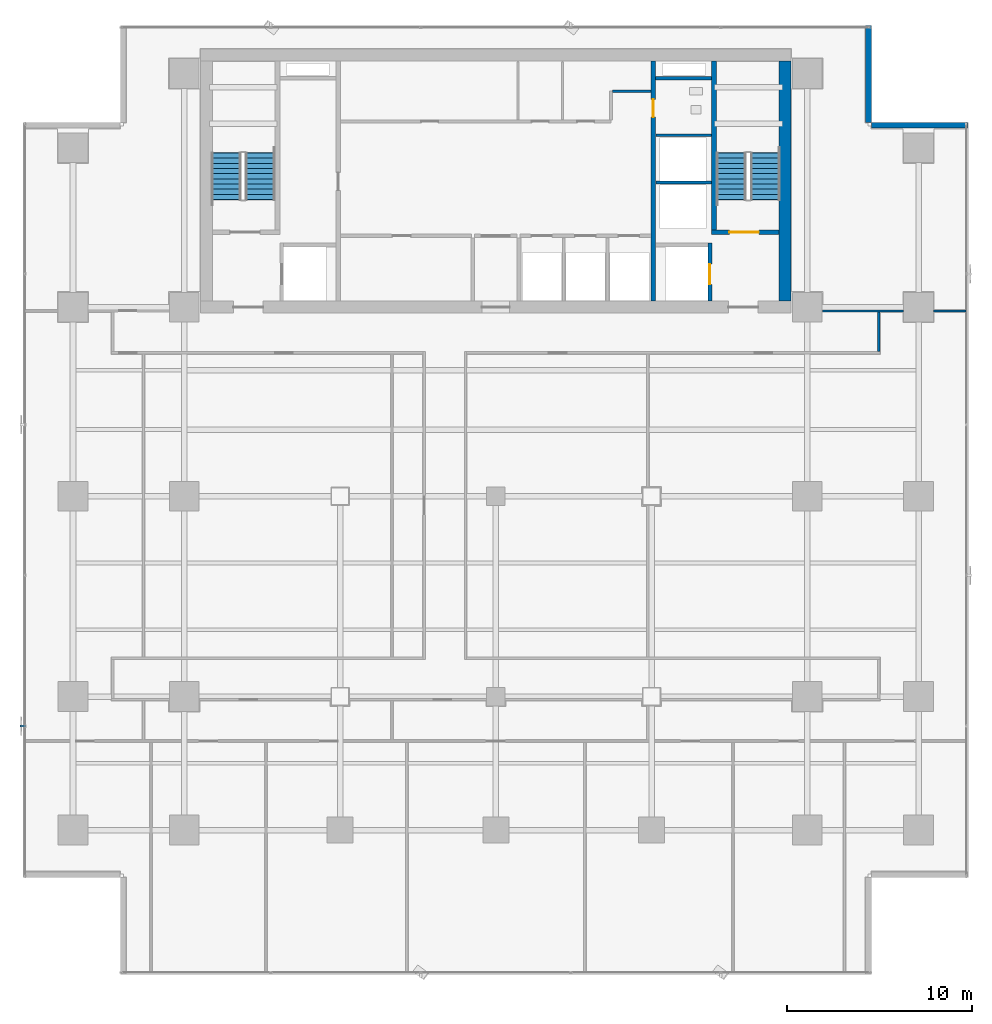
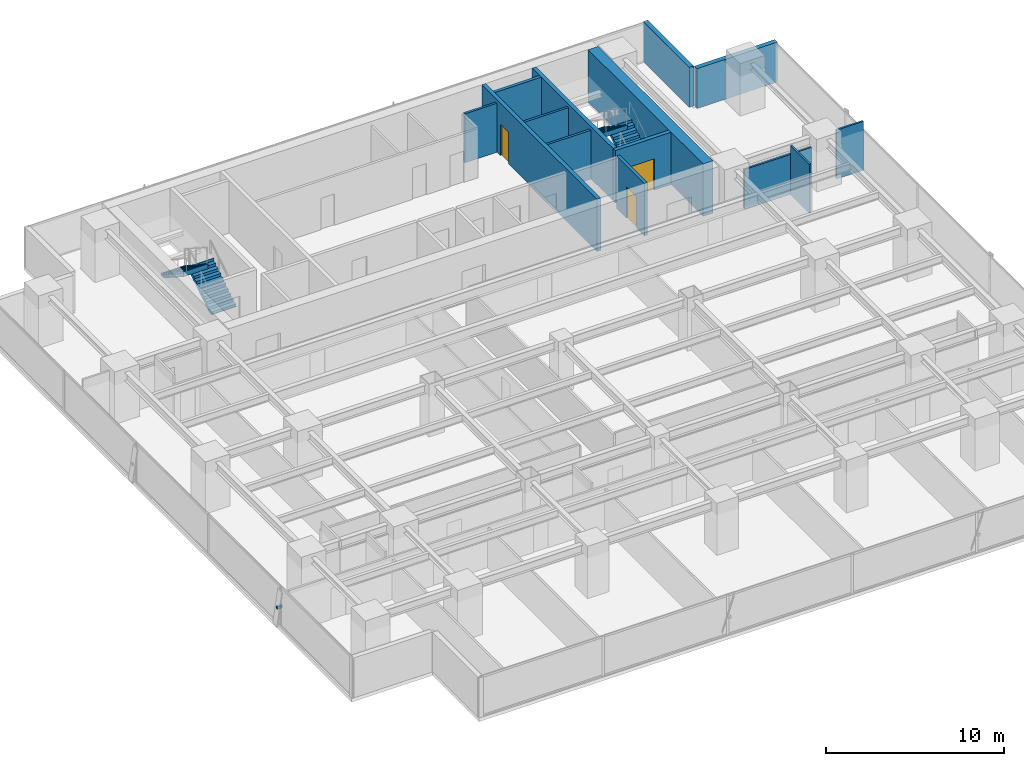
# One storey, part 30 of 37: 14 walls, 4 stair flights, 3 doors, 1 discrete accessory, 3 openings, 2 elements without a shape of their own.
"""IFC4 building model written with IfcOpenShell, lengths in metres."""

from ifc_helpers import new_model, si_unit, direction, frame, frame_2d, origin, origin_2d, place, context, subcontext, project, spatial, polyline, rectangle, outline, extrude, source, transform, mapped, material, layer, layer_set, material_profile, profile_set, type_object, element, fill, aggregate, save


model = new_model("IFC4")

# Units and contexts
model_context = context("Model", 3, precision=1e-05, world=origin(), true_north=direction((0.0, 1.0)))
body_context = subcontext(model_context, "Body", "Model", "MODEL_VIEW")
ifc_project = project(units=[si_unit("LENGTHUNIT", "METRE"), si_unit("AREAUNIT", "SQUARE_METRE"), si_unit("VOLUMEUNIT", "CUBIC_METRE"), si_unit("PLANEANGLEUNIT", "RADIAN"), si_unit("MASSUNIT", "GRAM", prefix="KILO")], contexts=[model_context])

# Site, building, storey
site_placement = place(None, origin())
site = spatial("IfcSite", under=ifc_project, at=site_placement, CompositionType="ELEMENT")
building_placement = place(site_placement, origin())
building = spatial("IfcBuilding", under=site, at=building_placement, Name="Sumidabori Civic Tower", CompositionType="ELEMENT")
storey_placement = place(building_placement, frame((0.0, 0.0, 88.39990234375)))
storey = spatial("IfcBuildingStorey", under=building, at=storey_placement, Name="L22", CompositionType="ELEMENT", Elevation=88.39990234375)

# Walls
ifc_material_1 = material(Name="Concrete C50/60", Category="concrete")
ifc_layer_1 = layer(ifc_material_1, 0.199951171875, Name="Concrete C50/60")
ifc_layer_set_1 = layer_set([ifc_layer_1], Name="Concrete C50/60")
wall_type_1 = type_object("IfcWallType", Name="WL-SHAFT-200", PredefinedType="SHEAR", material=ifc_layer_set_1)
shared_shape_1 = source(origin(), body_context, "Body", "SweptSolid", [
    extrude(rectangle(XDim=3.02001953125, YDim=0.199951171875, at=frame_2d((1.510009765625, 0.0))), origin(), (0.0, 0.0, 1.0), 3.60009765625),
])
wall_1_placement = place(storey_placement, frame((8.625, 22.550048828125, 0.0), z_axis=(0.0, 0.0, 1.0), x_axis=(1.0, 0.0, 0.0)))
element("IfcWall", 1, at=wall_1_placement, inside=storey, type_object=wall_type_1, Name="Core Shear Wall L22 RIS2-S", PredefinedType="SHEAR", context=body_context, shape_type="MappedRepresentation", body=[
    mapped(shared_shape_1, transform((0.0, 0.0, 0.0), x_axis=(1.0, 0.0, 0.0), y_axis=(0.0, 1.0, 0.0), z_axis=(0.0, 0.0, 1.0), scale=1.0)),
])
ifc_material_2 = material(Name="Concrete C60/75", Category="concrete")
ifc_layer_2 = layer(ifc_material_2, 0.64990234375, Name="Concrete C60/75")
ifc_layer_set_2 = layer_set([ifc_layer_2], Name="Concrete C60/75")
wall_type_2 = type_object("IfcWallType", Name="WL-CORE-650", PredefinedType="SHEAR", material=ifc_layer_set_2)
shared_shape_2 = source(origin(), body_context, "Body", "SweptSolid", [
    extrude(rectangle(XDim=12.9501953125, YDim=0.64990234375, at=frame_2d((6.47509765625, 0.0))), origin(), (0.0, 0.0, 1.0), 3.60009765625),
])
wall_2_placement = place(storey_placement, frame((15.60009765625, 10.52490234375, 0.0), z_axis=(0.0, 0.0, 1.0), x_axis=(0.0, 1.0, 0.0)))
element("IfcWall", 2, at=wall_2_placement, inside=storey, type_object=wall_type_2, Name="Core Shear Wall L22 E", PredefinedType="SHEAR", context=body_context, shape_type="MappedRepresentation", body=[
    mapped(shared_shape_2, transform((0.0, 0.0, 0.0), x_axis=(1.0, 0.0, 0.0), y_axis=(0.0, 1.0, 0.0), z_axis=(0.0, 0.0, 1.0), scale=1.0)),
])

# Wall, opening, door
ifc_layer_3 = layer(ifc_material_1, 0.25, Name="Concrete C50/60")
ifc_layer_set_3 = layer_set([ifc_layer_3], Name="Concrete C50/60")
wall_type_3 = type_object("IfcWallType", Name="WL-SHAFT-250", PredefinedType="SHEAR", material=ifc_layer_set_3)
shared_shape_3 = source(origin(), body_context, "Body", "SweptSolid", [
    extrude(rectangle(XDim=12.9501953125, YDim=0.25, at=frame_2d((6.47509765625, 0.0))), origin(), (0.0, 0.0, 1.0), 3.60009765625),
])
wall_3_placement = place(storey_placement, frame((8.5, 10.52490234375, 0.0), z_axis=(0.0, 0.0, 1.0), x_axis=(0.0, 1.0, 0.0)))
wall_3 = element("IfcWall", 3, at=wall_3_placement, inside=storey, type_object=wall_type_3, Name="Core Shear Wall L22 WEB-E", PredefinedType="SHEAR", context=body_context, shape_type="MappedRepresentation", body=[
    mapped(shared_shape_3, transform((0.0, 0.0, 0.0), x_axis=(1.0, 0.0, 0.0), y_axis=(0.0, 1.0, 0.0), z_axis=(0.0, 0.0, 1.0), scale=1.0)),
])
opening_1_placement = place(wall_3_placement, frame((9.925048828125, 0.0, 0.0)))
opening_1 = element("IfcOpeningElement", 4, at=opening_1_placement, cuts=wall_3, Name="Opening DR-2", PredefinedType="OPENING", context=body_context, shape_type="SweptSolid", body=[
    extrude(rectangle(XDim=0.949951171875, YDim=2.14990234375, at=frame_2d((0.47509765625, 1.074951171875))), frame((0.0, 0.136962890625, 0.0), z_axis=(0.0, -1.0, 0.0), x_axis=(1.0, 0.0, 0.0)), (0.0, 0.0, 1.0), 0.27392578125),
])
ifc_material_3 = material(Name="Japanese Hinoki Timber", Category="wood")
door_type_1 = type_object("IfcDoorType", Name="DR-INT-950", OperationType="NOTDEFINED", PredefinedType="DOOR", material=ifc_material_3)
shared_shape_4 = source(origin(), body_context, "Body", "SweptSolid", [
    extrude(rectangle(XDim=0.949951171875, YDim=2.14990234375, at=frame_2d((0.47509765625, 1.074951171875))), frame((0.0, 0.02490234375, 0.0), z_axis=(0.0, -1.0, 0.0), x_axis=(1.0, 0.0, 0.0)), (0.0, 0.0, 1.0), 0.050048828125),
])
door_1_placement = place(opening_1_placement, origin())
door_1 = element("IfcDoor", 5, at=door_1_placement, inside=storey, type_object=door_type_1, Name="Door DR:L22:WC-ACC", OperationType="SINGLE_SWING_RIGHT", OverallHeight=2.14990234375, OverallWidth=0.949951171875, PredefinedType="DOOR", context=body_context, shape_type="MappedRepresentation", body=[
    mapped(shared_shape_4, transform((0.0, 0.0, 0.0), x_axis=(1.0, 0.0, 0.0), y_axis=(0.0, 1.0, 0.0), z_axis=(0.0, 0.0, 1.0), scale=1.0)),
])
fill(opening_1, door_1)

shared_shape_5 = source(origin(), body_context, "Body", "SweptSolid", [
    extrude(rectangle(XDim=3.6298828125, YDim=0.25, at=frame_2d((1.81494140625, 0.0))), origin(), (0.0, 0.0, 1.0), 3.60009765625),
])
wall_4_placement = place(storey_placement, frame((11.64501953125, 14.25, 0.0), z_axis=(0.0, 0.0, 1.0), x_axis=(1.0, 0.0, 0.0)))
wall_4 = element("IfcWall", 6, at=wall_4_placement, inside=storey, type_object=wall_type_3, Name="Core Shear Wall L22 ST2-S", PredefinedType="SHEAR", context=body_context, shape_type="MappedRepresentation", body=[
    mapped(shared_shape_5, transform((0.0, 0.0, 0.0), x_axis=(1.0, 0.0, 0.0), y_axis=(0.0, 1.0, 0.0), z_axis=(0.0, 0.0, 1.0), scale=1.0)),
])
opening_2_placement = place(wall_4_placement, frame((0.949951171875, 0.0, 0.0)))
opening_2 = element("IfcOpeningElement", 7, at=opening_2_placement, cuts=wall_4, Name="Opening DR-FD4", PredefinedType="OPENING", context=body_context, shape_type="SweptSolid", body=[
    extrude(rectangle(XDim=1.60009765625, YDim=2.14990234375, at=frame_2d((0.800048828125, 1.074951171875))), frame((0.0, 0.136962890625, 0.0), z_axis=(0.0, -1.0, 0.0), x_axis=(1.0, 0.0, 0.0)), (0.0, 0.0, 1.0), 0.27392578125),
])
ifc_material_4 = material(Name="Steel SN490", Category="steel")
door_type_2 = type_object("IfcDoorType", Name="DR-FD4", OperationType="DOUBLE_DOOR_SINGLE_SWING", PredefinedType="DOOR", material=ifc_material_4)
shared_shape_6 = source(origin(), body_context, "Body", "SweptSolid", [
    extrude(rectangle(XDim=1.60009765625, YDim=2.14990234375, at=frame_2d((0.800048828125, 1.074951171875))), frame((0.0, 0.02490234375, 0.0), z_axis=(0.0, -1.0, 0.0), x_axis=(1.0, 0.0, 0.0)), (0.0, 0.0, 1.0), 0.050048828125),
])
door_2_placement = place(opening_2_placement, origin())
door_2 = element("IfcDoor", 8, at=door_2_placement, inside=storey, type_object=door_type_2, Name="Door DR:L22:ST2", OperationType="DOUBLE_DOOR_SINGLE_SWING", OverallHeight=2.14990234375, OverallWidth=1.60009765625, PredefinedType="DOOR", context=body_context, shape_type="MappedRepresentation", body=[
    mapped(shared_shape_6, transform((0.0, 0.0, 0.0), x_axis=(1.0, 0.0, 0.0), y_axis=(0.0, 1.0, 0.0), z_axis=(0.0, 0.0, 1.0), scale=1.0)),
])
fill(opening_2, door_2)

# Wall
shared_shape_7 = source(origin(), body_context, "Body", "SweptSolid", [
    extrude(rectangle(XDim=9.10009765625, YDim=0.25, at=frame_2d((4.550048828125, 0.0))), origin(), (0.0, 0.0, 1.0), 3.60009765625),
])
wall_5_placement = place(storey_placement, frame((11.77001953125, 14.375, 0.0), z_axis=(0.0, 0.0, 1.0), x_axis=(0.0, 1.0, 0.0)))
element("IfcWall", 9, at=wall_5_placement, inside=storey, type_object=wall_type_3, Name="Core Shear Wall L22 ST2-W", PredefinedType="SHEAR", context=body_context, shape_type="MappedRepresentation", body=[
    mapped(shared_shape_7, transform((0.0, 0.0, 0.0), x_axis=(1.0, 0.0, 0.0), y_axis=(0.0, 1.0, 0.0), z_axis=(0.0, 0.0, 1.0), scale=1.0)),
])

# Wall, opening, door
shared_shape_8 = source(origin(), body_context, "Body", "SweptSolid", [
    extrude(rectangle(XDim=3.125, YDim=0.199951171875, at=frame_2d((1.5625, 0.0))), origin(), (0.0, 0.0, 1.0), 3.60009765625),
])
wall_6_placement = place(storey_placement, frame((11.550048828125, 10.52490234375, 0.0), z_axis=(0.0, 0.0, 1.0), x_axis=(0.0, 1.0, 0.0)))
wall_6 = element("IfcWall", 10, at=wall_6_placement, inside=storey, type_object=wall_type_1, Name="Core Shear Wall L22 EL2-E", PredefinedType="SHEAR", context=body_context, shape_type="MappedRepresentation", body=[
    mapped(shared_shape_8, transform((0.0, 0.0, 0.0), x_axis=(1.0, 0.0, 0.0), y_axis=(0.0, 1.0, 0.0), z_axis=(0.0, 0.0, 1.0), scale=1.0)),
])
opening_3_placement = place(wall_6_placement, frame((0.89990234375, 0.0, 0.0)))
opening_3 = element("IfcOpeningElement", 11, at=opening_3_placement, cuts=wall_6, Name="Opening LD-2", PredefinedType="OPENING", context=body_context, shape_type="SweptSolid", body=[
    extrude(rectangle(XDim=1.10009765625, YDim=2.14990234375, at=frame_2d((0.550048828125, 1.074951171875))), frame((0.0, 0.11181640625, 0.0), z_axis=(0.0, -1.0, 0.0), x_axis=(1.0, 0.0, 0.0)), (0.0, 0.0, 1.0), 0.223876953125),
])
ifc_material_5 = material(Name="Stainless Steel Hairline Finish", Category="steel")
door_type_3 = type_object("IfcDoorType", Name="DR-LD2", OperationType="DOUBLE_DOOR_SLIDING", PredefinedType="DOOR", material=ifc_material_5)
shared_shape_9 = source(origin(), body_context, "Body", "SweptSolid", [
    extrude(rectangle(XDim=1.10009765625, YDim=2.14990234375, at=frame_2d((0.550048828125, 1.074951171875))), frame((0.0, 0.02490234375, 0.0), z_axis=(0.0, -1.0, 0.0), x_axis=(1.0, 0.0, 0.0)), (0.0, 0.0, 1.0), 0.050048828125),
])
door_3_placement = place(opening_3_placement, origin())
door_3 = element("IfcDoor", 12, at=door_3_placement, inside=storey, type_object=door_type_3, Name="Door DR:L22:LD-EL2", OperationType="DOUBLE_DOOR_SLIDING", OverallHeight=2.14990234375, OverallWidth=1.10009765625, PredefinedType="DOOR", context=body_context, shape_type="MappedRepresentation", body=[
    mapped(shared_shape_9, transform((0.0, 0.0, 0.0), x_axis=(1.0, 0.0, 0.0), y_axis=(0.0, 1.0, 0.0), z_axis=(0.0, 0.0, 1.0), scale=1.0)),
])
fill(opening_3, door_3)

# Walls
ifc_material_6 = material(Name="Precast concrete C40/50", Category="concrete")
ifc_layer_4 = layer(ifc_material_6, 0.300048828125, Name="Precast concrete C40/50")
ifc_layer_set_4 = layer_set([ifc_layer_4], Name="Precast concrete C40/50")
wall_type_4 = type_object("IfcWallType", Name="WL-EXT-POD300", PredefinedType="STANDARD", material=ifc_layer_set_4)
shared_shape_10 = source(origin(), body_context, "Body", "SweptSolid", [
    extrude(rectangle(XDim=5.2099609375, YDim=0.300048828125, at=frame_2d((2.60498046875, 0.0))), origin(), (0.0, 0.0, 1.0), 2.739990234375),
])
for number, where, z_axis, x_axis, name in (
    (13, (25.47998046875, 20.0, 0.0), (0.0, 0.0, 1.0), (-1.0, 0.0, 0.0), "Notched Corner Spandrel Band L22-05"),
    (14, (20.10009765625, 20.169921875, 0.0), (0.0, 0.0, 1.0), (0.0, 1.0, 0.0), "Notched Corner Spandrel Band L22-06"),
):
    element("IfcWall", number, at=place(storey_placement, frame(where, z_axis=z_axis, x_axis=x_axis)), inside=storey, type_object=wall_type_4, Name=name, PredefinedType="STANDARD", context=body_context, shape_type="MappedRepresentation", body=[
        mapped(shared_shape_10, transform((0.0, 0.0, 0.0), x_axis=(1.0, 0.0, 0.0), y_axis=(0.0, 1.0, 0.0), z_axis=(0.0, 0.0, 1.0), scale=1.0)),
    ])
ifc_material_7 = material(Name="Gypsum Plasterboard Acoustic Partition")
ifc_layer_5 = layer(ifc_material_7, 0.14990234375, Name="Gypsum Plasterboard Acoustic Partition")
ifc_layer_set_5 = layer_set([ifc_layer_5], Name="Gypsum Plasterboard Acoustic Partition")
wall_type_5 = type_object("IfcWallType", Name="WL-PART-150", PredefinedType="PARTITIONING", material=ifc_layer_set_5)
shared_shape_11 = source(origin(), body_context, "Body", "SweptSolid", [
    extrude(rectangle(XDim=3.010009765625, YDim=0.14990234375, at=frame_2d((1.5048828125, 0.0))), origin(), (0.0, 0.0, 1.0), 3.360107421875),
])
for number, where, z_axis, x_axis, name in (
    (15, (8.6298828125, 16.919921875, 0.0), (0.0, 0.0, 1.0), (1.0, 0.0, 0.0), "Interior Partition WL:L22:DIV-OBS1"),
    (16, (8.6298828125, 19.469970703125, 0.0), (0.0, 0.0, 1.0), (1.0, 0.0, 0.0), "Interior Partition WL:L22:DIV-OBS2"),
):
    element("IfcWall", number, at=place(storey_placement, frame(where, z_axis=z_axis, x_axis=x_axis)), inside=storey, type_object=wall_type_5, Name=name, PredefinedType="PARTITIONING", context=body_context, shape_type="MappedRepresentation", body=[
        mapped(shared_shape_11, transform((0.0, 0.0, 0.0), x_axis=(1.0, 0.0, 0.0), y_axis=(0.0, 1.0, 0.0), z_axis=(0.0, 0.0, 1.0), scale=1.0)),
    ])
shared_shape_12 = source(origin(), body_context, "Body", "SweptSolid", [
    extrude(rectangle(XDim=2.070068359375, YDim=0.14990234375, at=frame_2d((1.03515625, 0.0))), origin(), (0.0, 0.0, 1.0), 3.360107421875),
])
wall_7_placement = place(storey_placement, frame((6.300048828125, 21.85009765625, 0.0), z_axis=(0.0, 0.0, 1.0), x_axis=(1.0, 0.0, 0.0)))
element("IfcWall", 17, at=wall_7_placement, inside=storey, type_object=wall_type_5, Name="Interior Partition WL:L22:CBAND-ME2", PredefinedType="PARTITIONING", context=body_context, shape_type="MappedRepresentation", body=[
    mapped(shared_shape_12, transform((0.0, 0.0, 0.0), x_axis=(1.0, 0.0, 0.0), y_axis=(0.0, 1.0, 0.0), z_axis=(0.0, 0.0, 1.0), scale=1.0)),
])
ifc_layer_6 = layer(ifc_material_7, 0.1201171875, Name="Gypsum Plasterboard Acoustic Partition")
ifc_layer_set_6 = layer_set([ifc_layer_6], Name="Gypsum Plasterboard Acoustic Partition")
wall_type_6 = type_object("IfcWallType", Name="WL-PART-120", PredefinedType="PARTITIONING", material=ifc_layer_set_6)
shared_shape_13 = source(origin(), body_context, "Body", "SweptSolid", [
    extrude(rectangle(XDim=1.739990234375, YDim=0.1201171875, at=frame_2d((0.8701171875, 0.0))), origin(), (0.0, 0.0, 1.0), 3.360107421875),
])
wall_8_placement = place(storey_placement, frame((23.610107421875, 10.0, 0.0), z_axis=(0.0, 0.0, 1.0), x_axis=(1.0, 0.0, 0.0)))
element("IfcWall", 18, at=wall_8_placement, inside=storey, type_object=wall_type_6, Name="Interior Partition WL:L22:FLK-NE-2", PredefinedType="PARTITIONING", context=body_context, shape_type="MappedRepresentation", body=[
    mapped(shared_shape_13, transform((0.0, 0.0, 0.0), x_axis=(1.0, 0.0, 0.0), y_axis=(0.0, 1.0, 0.0), z_axis=(0.0, 0.0, 1.0), scale=1.0)),
])
shared_shape_14 = source(origin(), body_context, "Body", "SweptSolid", [
    extrude(rectangle(XDim=4.3798828125, YDim=0.1201171875, at=frame_2d((2.18994140625, 0.0))), origin(), (0.0, 0.0, 1.0), 2.7451171875),
])
wall_9_placement = place(storey_placement, frame((17.610107421875, 10.0, 0.0), z_axis=(0.0, 0.0, 1.0), x_axis=(1.0, 0.0, 0.0)))
element("IfcWall", 19, at=wall_9_placement, inside=storey, type_object=wall_type_6, Name="Interior Partition WL:L22:FLK-NE-1", PredefinedType="PARTITIONING", context=body_context, shape_type="MappedRepresentation", body=[
    mapped(shared_shape_14, transform((0.0, 0.0, 0.0), x_axis=(1.0, 0.0, 0.0), y_axis=(0.0, 1.0, 0.0), z_axis=(0.0, 0.0, 1.0), scale=1.0)),
])
shared_shape_15 = source(origin(), body_context, "Body", "SweptSolid", [
    extrude(rectangle(XDim=2.130126953125, YDim=0.1201171875, at=frame_2d((1.06494140625, 0.0))), origin(), (0.0, 0.0, 1.0), 3.360107421875),
])
wall_10_placement = place(storey_placement, frame((20.659912109375, 7.804931640625, 0.0), z_axis=(0.0, 0.0, 1.0), x_axis=(0.0, 1.0, 0.0)))
element("IfcWall", 20, at=wall_10_placement, inside=storey, type_object=wall_type_6, Name="Interior Partition WL:L22:CORR-VNE", PredefinedType="PARTITIONING", context=body_context, shape_type="MappedRepresentation", body=[
    mapped(shared_shape_15, transform((0.0, 0.0, 0.0), x_axis=(1.0, 0.0, 0.0), y_axis=(0.0, 1.0, 0.0), z_axis=(0.0, 0.0, 1.0), scale=1.0)),
])

# Stair, stair flights
ifc_material_8 = material(Name="Concrete C40/50", Category="concrete")
stair_type = type_object("IfcStairType", Name="ST-CORE-1600", PredefinedType="HALF_TURN_STAIR", material=ifc_material_8)
stair_1_placement = place(storey_placement, origin())
stair_1 = element("IfcStair", 21, at=stair_1_placement, inside=storey, type_object=stair_type, Name="L22 ST-1", PredefinedType="HALF_TURN_STAIR")
stair_flight_type = type_object("IfcStairFlightType", Name="SF-CORE-1600", PredefinedType="STRAIGHT", material=ifc_material_8)
shared_shape_16 = source(origin(), body_context, "Body", "SweptSolid", [
    extrude(outline(polyline([(-0.02490234375, 0.0), (-0.02490234375, 0.0400390625), (0.0, 0.0400390625), (0.0, 0.179931640625), (0.280029296875, 0.179931640625), (0.280029296875, 0.360107421875), (0.56005859375, 0.360107421875), (0.56005859375, 0.5400390625), (0.840087890625, 0.5400390625), (0.840087890625, 0.719970703125), (1.1201171875, 0.719970703125), (1.1201171875, 0.89990234375), (1.39990234375, 0.89990234375), (1.39990234375, 1.080078125), (1.679931640625, 1.080078125), (1.679931640625, 1.260009765625), (1.9599609375, 1.260009765625), (1.9599609375, 1.43994140625), (2.239990234375, 1.43994140625), (2.239990234375, 1.6201171875), (2.52001953125, 1.6201171875), (2.52001953125, 1.800048828125), (2.544921875, 1.800048828125), (2.544921875, 1.650146484375), (2.52001953125, 1.44189453125), (0.277099609375, 0.0), (-0.02490234375, 0.0)])), frame((0.0, 0.800048828125, 0.0), z_axis=(0.0, -1.0, 0.0), x_axis=(1.0, 0.0, 0.0)), (0.0, 0.0, 1.0), 1.60009765625),
])
stair_flight_1_placement = place(storey_placement, frame((-12.699951171875, 16.0, 0.0), z_axis=(0.0, 0.0, 1.0), x_axis=(0.0, 1.0, 0.0)))
stair_flight_1 = element("IfcStairFlight", 22, at=stair_flight_1_placement, type_object=stair_flight_type, Name="ST-1 flight 1", NumberOfRisers=10, NumberOfTreads=9, PredefinedType="STRAIGHT", RiserHeight=0.18, TreadLength=0.28, context=body_context, shape_type="MappedRepresentation", body=[
    mapped(shared_shape_16, transform((0.0, 0.0, 0.0), x_axis=(1.0, 0.0, 0.0), y_axis=(0.0, 1.0, 0.0), z_axis=(0.0, 0.0, 1.0), scale=1.0)),
])
stair_flight_2_placement = place(storey_placement, frame((-14.5400390625, 18.52001953125, 1.800048828125), z_axis=(0.0, 0.0, 1.0), x_axis=(0.0, -1.0, 0.0)))
stair_flight_2 = element("IfcStairFlight", 23, at=stair_flight_2_placement, type_object=stair_flight_type, Name="ST-1 flight 2", NumberOfRisers=10, NumberOfTreads=9, PredefinedType="STRAIGHT", RiserHeight=0.18, TreadLength=0.28, context=body_context, shape_type="MappedRepresentation", body=[
    mapped(shared_shape_16, transform((0.0, 0.0, 0.0), x_axis=(1.0, 0.0, 0.0), y_axis=(0.0, 1.0, 0.0), z_axis=(0.0, 0.0, 1.0), scale=1.0)),
])
aggregate(stair_1, [stair_flight_1, stair_flight_2])

stair_2_placement = place(storey_placement, origin())
stair_2 = element("IfcStair", 24, at=stair_2_placement, inside=storey, type_object=stair_type, Name="L22 ST-2", PredefinedType="HALF_TURN_STAIR")
stair_flight_3_placement = place(storey_placement, frame((14.5400390625, 16.0, 0.0), z_axis=(0.0, 0.0, 1.0), x_axis=(0.0, 1.0, 0.0)))
stair_flight_3 = element("IfcStairFlight", 25, at=stair_flight_3_placement, type_object=stair_flight_type, Name="ST-2 flight 1", NumberOfRisers=10, NumberOfTreads=9, PredefinedType="STRAIGHT", RiserHeight=0.18, TreadLength=0.28, context=body_context, shape_type="MappedRepresentation", body=[
    mapped(shared_shape_16, transform((0.0, 0.0, 0.0), x_axis=(1.0, 0.0, 0.0), y_axis=(0.0, 1.0, 0.0), z_axis=(0.0, 0.0, 1.0), scale=1.0)),
])
stair_flight_4_placement = place(storey_placement, frame((12.699951171875, 18.52001953125, 1.800048828125), z_axis=(0.0, 0.0, 1.0), x_axis=(0.0, -1.0, 0.0)))
stair_flight_4 = element("IfcStairFlight", 26, at=stair_flight_4_placement, type_object=stair_flight_type, Name="ST-2 flight 2", NumberOfRisers=10, NumberOfTreads=9, PredefinedType="STRAIGHT", RiserHeight=0.18, TreadLength=0.28, context=body_context, shape_type="MappedRepresentation", body=[
    mapped(shared_shape_16, transform((0.0, 0.0, 0.0), x_axis=(1.0, 0.0, 0.0), y_axis=(0.0, 1.0, 0.0), z_axis=(0.0, 0.0, 1.0), scale=1.0)),
])
aggregate(stair_2, [stair_flight_3, stair_flight_4])

# Discrete accessory
ifc_material_profile = material_profile(ifc_material_5, rectangle(XDim=0.1201171875, YDim=0.179931640625, at=origin_2d()), Name="STEEL BRACKET 180x120")
ifc_profile_set = profile_set([ifc_material_profile], Name="Stainless Steel Hairline Finish")
discrete_accessory_type = type_object("IfcDiscreteAccessoryType", Name="AC-BRK-180", PredefinedType="BRACKET", material=ifc_profile_set)
shared_shape_17 = source(origin(), body_context, "Body", "SweptSolid", [
    extrude(rectangle(XDim=0.1201171875, YDim=0.179931640625, at=origin_2d()), origin(), (0.0, 0.0, 1.0), 0.329833984375),
])
discrete_accessory_placement = place(storey_placement, frame((-25.330078125, -12.39208984375, 1.360107421875), z_axis=(-1.0, 0.0, 0.0), x_axis=(0.0, -1.0, 0.0)))
element("IfcDiscreteAccessory", 27, at=discrete_accessory_placement, inside=storey, type_object=discrete_accessory_type, Name="Bronze Fin Fixing Bracket L22-04", PredefinedType="BRACKET", context=body_context, shape_type="MappedRepresentation", body=[
    mapped(shared_shape_17, transform((0.0, 0.0, 0.0), x_axis=(1.0, 0.0, 0.0), y_axis=(0.0, 1.0, 0.0), z_axis=(0.0, 0.0, 1.0), scale=1.0)),
])

save(model, "model.ifc")
